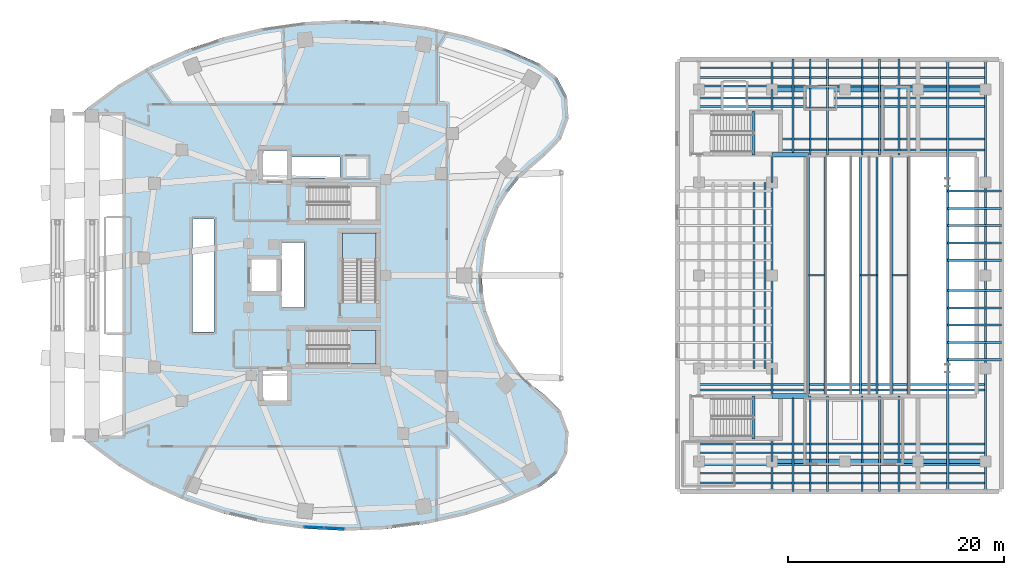
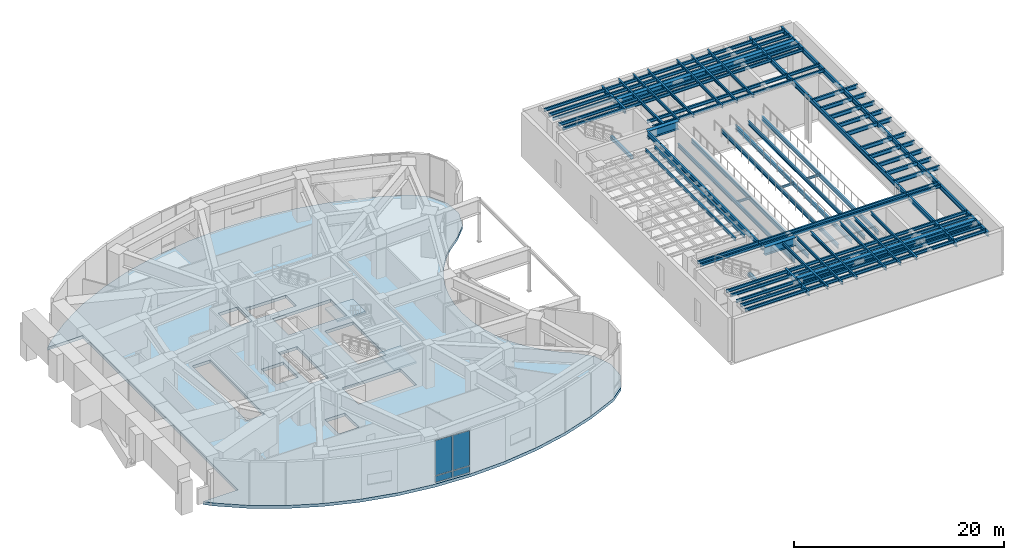
# One storey, part 11 of 23: 70 beams, 4 plates, 3 slabs, 3 elements without a shape of their own.
"""IFC4 building model written with IfcOpenShell, lengths in metres."""

import ifcopenshell
import ifcopenshell.guid

model = None  # the IFC model being written
_history = None  # IfcOwnerHistory: only IFC2X3 demands one
_inside = {}  # id of a spatial element -> (the spatial element, [elements in it])
_under = {}  # id of a project, library or spatial element -> (it, [spatial elements below it])
_declared = {}  # id of a project -> (the project, [libraries it declares])
_typed = {}  # id of a type object -> (the type object, [elements of that type])
_made_of = {}  # id of a material, layer set ... -> (it, [elements and type objects made of it])


def new_model(schema):
    """Start an empty IFC model of exactly this schema.

    Asked for "IFC4X3", IfcOpenShell would pick the latest addendum, in which some entities
    have other attributes; the version numbers below select the first issue.
    IFC2X3 requires an IfcOwnerHistory on every rooted entity: one is made here for all.
    """
    global model, _history
    if schema == "IFC4X3":
        model = ifcopenshell.file(schema_version=(4, 3, 0, 0))
    else:
        model = ifcopenshell.file(schema=schema)
    _inside.clear()
    _under.clear()
    _declared.clear()
    _typed.clear()
    _made_of.clear()
    _history = None
    if model.schema == "IFC2X3":
        org = make("IfcOrganization", Name="unknown")
        user = make(
            "IfcPersonAndOrganization",
            ThePerson=make("IfcPerson", FamilyName="unknown"),
            TheOrganization=org,
        )
        app = make(
            "IfcApplication",
            ApplicationDeveloper=org,
            Version="unknown",
            ApplicationFullName="unknown",
            ApplicationIdentifier="unknown",
        )
        _history = make(
            "IfcOwnerHistory",
            OwningUser=user,
            OwningApplication=app,
            ChangeAction="ADDED",
            CreationDate=0,
        )
    return model


def make(cls, **values):
    """One entity of the class cls with the attributes given. An attribute that is None is left unset."""
    return model.create_entity(
        cls, **{name: value for name, value in values.items() if value is not None}
    )


def rooted(cls, **values):
    """An entity with a GlobalId (a new one), such as an element, a storey or a relation."""
    return make(cls, GlobalId=ifcopenshell.guid.new(), OwnerHistory=_history, **values)


def si_unit(unit_type, name, prefix=None):
    """IfcSIUnit, for example si_unit("LENGTHUNIT", "METRE", prefix="MILLI")."""
    return make("IfcSIUnit", UnitType=unit_type, Prefix=prefix, Name=name)


def assignment(units):
    """IfcUnitAssignment: the units of a project."""
    return None if units is None else make("IfcUnitAssignment", Units=units)


def point(xyz):
    """IfcCartesianPoint."""
    return None if xyz is None else make("IfcCartesianPoint", Coordinates=xyz)


def direction(xyz):
    """IfcDirection."""
    return None if xyz is None else make("IfcDirection", DirectionRatios=xyz)


def frame(location, z_axis=None, x_axis=None):
    """IfcAxis2Placement3D, a coordinate frame: its origin and axes. An axis left out is left unset."""
    return make(
        "IfcAxis2Placement3D",
        Location=point(location),
        Axis=direction(z_axis),
        RefDirection=direction(x_axis),
    )


def frame_2d(location, x_axis=None):
    """IfcAxis2Placement2D, a coordinate frame in the plane: its origin and x axis."""
    return make(
        "IfcAxis2Placement2D", Location=point(location), RefDirection=direction(x_axis)
    )


def origin():
    """The frame at (0, 0, 0) with its axes left unset."""
    return frame((0.0, 0.0, 0.0))


def origin_2d():
    """The frame at (0, 0) in the plane with its x axis left unset."""
    return frame_2d((0.0, 0.0))


def place(relative_to, where):
    """IfcLocalPlacement: puts the frame where relative to a parent placement (None: the world)."""
    return make(
        "IfcLocalPlacement", PlacementRelTo=relative_to, RelativePlacement=where
    )


def context(
    kind, dimensions, precision=None, world=None, true_north=None, identifier=None
):
    """IfcGeometricRepresentationContext, for example the 3D "Model" context."""
    return make(
        "IfcGeometricRepresentationContext",
        ContextIdentifier=identifier,
        ContextType=kind,
        CoordinateSpaceDimension=dimensions,
        Precision=precision,
        WorldCoordinateSystem=world,
        TrueNorth=true_north,
    )


def subcontext(parent, identifier, kind, view, scale=None):
    """IfcGeometricRepresentationSubContext, for example "Body" below "Model"."""
    return make(
        "IfcGeometricRepresentationSubContext",
        ContextIdentifier=identifier,
        ContextType=kind,
        ParentContext=parent,
        TargetScale=scale,
        TargetView=view,
    )


def project(units=None, contexts=None):
    """IfcProject with its units and contexts."""
    return rooted(
        "IfcProject",
        Name="project",
        RepresentationContexts=contexts,
        UnitsInContext=assignment(units),
    )


def spatial(cls, under=None, at=None, **own):
    """A site, building, storey or space (cls), placed at a placement, below another one or the project."""
    s = rooted(cls, ObjectPlacement=at, **own)
    if under is not None:
        _under.setdefault(under.id(), (under, []))[1].append(s)
    return s


def polyline(points):
    """IfcPolyline through the points."""
    return make("IfcPolyline", Points=[point(p) for p in points])


def profile(cls, at=None, kind="AREA", **sizes):
    """A parametric profile (cls). Its sizes go by their IFC names, for example OverallWidth=200.0."""
    return make(cls, ProfileType=kind, Position=at, **sizes)


def rectangle(**sizes):
    """IfcRectangleProfileDef."""
    return profile("IfcRectangleProfileDef", **sizes)


def i_section(**sizes):
    """IfcIShapeProfileDef."""
    return profile("IfcIShapeProfileDef", **sizes)


def outline(outer, holes=None, kind="AREA"):
    """IfcArbitraryClosedProfileDef: a profile drawn as a closed curve; with holes, ...WithVoids."""
    if holes is None:
        return make("IfcArbitraryClosedProfileDef", ProfileType=kind, OuterCurve=outer)
    return make(
        "IfcArbitraryProfileDefWithVoids",
        ProfileType=kind,
        OuterCurve=outer,
        InnerCurves=holes,
    )


def extrude(swept, where, along, depth):
    """IfcExtrudedAreaSolid: the profile swept, set in the frame where, extruded along a direction by depth."""
    return make(
        "IfcExtrudedAreaSolid",
        SweptArea=swept,
        Position=where,
        ExtrudedDirection=direction(along),
        Depth=depth,
    )


def shape(context_of_items, identifier, shape_type, items):
    """IfcShapeRepresentation: the items that make up one representation, for example the "Body"."""
    return make(
        "IfcShapeRepresentation",
        ContextOfItems=context_of_items,
        RepresentationIdentifier=identifier,
        RepresentationType=shape_type,
        Items=items,
    )


def material(Name=None, Category=None):
    """IfcMaterial."""
    return make("IfcMaterial", Name=Name, Category=Category)


def layer(
    of_material, thickness, ventilated=None, Name=None, Category=None, Priority=None
):
    """IfcMaterialLayer: one layer of a wall or slab, of a material (None: an air gap)."""
    return make(
        "IfcMaterialLayer",
        Material=of_material,
        LayerThickness=thickness,
        IsVentilated=ventilated,
        Name=Name,
        Category=Category,
        Priority=Priority,
    )


def layer_set(layers, Name=None):
    """IfcMaterialLayerSet."""
    return make("IfcMaterialLayerSet", MaterialLayers=layers, LayerSetName=Name)


def material_profile(
    of_material, cross_section, Name=None, Category=None, Priority=None
):
    """IfcMaterialProfile: a cross section and its material."""
    return make(
        "IfcMaterialProfile",
        Name=Name,
        Material=of_material,
        Profile=cross_section,
        Priority=Priority,
        Category=Category,
    )


def profile_set(profiles, Name=None, composite=None):
    """IfcMaterialProfileSet."""
    return make(
        "IfcMaterialProfileSet",
        Name=Name,
        MaterialProfiles=profiles,
        CompositeProfile=composite,
    )


def made_of(thing, what):
    """Note that an element or type object is made of a material, layer set ...; save() writes the relation."""
    if what is not None:
        _made_of.setdefault(what.id(), (what, []))[1].append(thing)
    return thing


def type_object(cls, material=None, **own):
    """A type object (cls), such as IfcWallType, which elements share."""
    return made_of(rooted(cls, **own), material)


def element(
    cls,
    number,
    at=None,
    inside=None,
    cuts=None,
    type_object=None,
    material=None,
    context=None,
    identifier="Body",
    shape_type=None,
    held_by="IfcProductDefinitionShape",
    body=None,
    shapes=None,
    **own,
):
    """One element of the class cls, such as IfcWall. Its Tag is "e" and its number.

    at: its placement. inside: the storey or other place that contains it. cuts: it is an
    opening in that element (IfcRelVoidsElement). A single representation is given by context,
    identifier, shape_type and body (its items); several are given by shapes. held_by: the class
    of the entity that holds the representations. save() writes the other relations.
    """
    e = rooted(cls, Tag="e%d" % number, ObjectPlacement=at, **own)
    if body is not None:
        shapes = [shape(context, identifier, shape_type, body)]
    if shapes is not None:
        e.Representation = make(held_by, Representations=shapes)
    if inside is not None:
        _inside.setdefault(inside.id(), (inside, []))[1].append(e)
    if cuts is not None:
        rooted(
            "IfcRelVoidsElement", RelatingBuildingElement=cuts, RelatedOpeningElement=e
        )
    if type_object is not None:
        _typed.setdefault(type_object.id(), (type_object, []))[1].append(e)
    return made_of(e, material)


def aggregate(whole, parts):
    """IfcRelAggregates: a whole, such as a stair, and the parts it consists of."""
    return rooted("IfcRelAggregates", RelatingObject=whole, RelatedObjects=parts)


def save(model, path):
    """Write the relations noted so far, then the file.

    IfcRelAggregates (storeys below a building ...), IfcRelContainedInSpatialStructure (elements
    in a storey), IfcRelDefinesByType, IfcRelAssociatesMaterial and IfcRelDeclares: one each for
    every whole, place, type object, material and project.
    """
    for whole, parts in _under.values():
        aggregate(whole, parts)
    for where, things in _inside.values():
        rooted(
            "IfcRelContainedInSpatialStructure",
            RelatedElements=things,
            RelatingStructure=where,
        )
    for kind, things in _typed.values():
        rooted("IfcRelDefinesByType", RelatedObjects=things, RelatingType=kind)
    for what, things in _made_of.values():
        rooted("IfcRelAssociatesMaterial", RelatedObjects=things, RelatingMaterial=what)
    for by, libraries in _declared.values():
        rooted("IfcRelDeclares", RelatingContext=by, RelatedDefinitions=libraries)
    model.write(path)


model = new_model("IFC4")

# Units and contexts
model_context = context("Model", 3, precision=1e-05, world=origin(), true_north=direction((0.0, 1.0)))
body_context = subcontext(model_context, "Body", "Model", "MODEL_VIEW")
ifc_project = project(units=[si_unit("LENGTHUNIT", "METRE"), si_unit("AREAUNIT", "SQUARE_METRE"), si_unit("VOLUMEUNIT", "CUBIC_METRE"), si_unit("PLANEANGLEUNIT", "RADIAN"), si_unit("MASSUNIT", "GRAM", prefix="KILO")], contexts=[model_context])

# Site, building, storey
site_placement = place(None, origin())
site = spatial("IfcSite", under=ifc_project, at=site_placement, CompositionType="ELEMENT")
building_placement = place(site_placement, origin())
building = spatial("IfcBuilding", under=site, at=building_placement, Name="Korentha Bioscience Tower", CompositionType="ELEMENT")
storey_placement = place(building_placement, frame((0.0, 0.0, 15.0)))
storey = spatial("IfcBuildingStorey", under=building, at=storey_placement, Name="L03", CompositionType="ELEMENT", Elevation=15.0)

# Beams
ifc_material_1 = material(Name="Concrete C50", Category="concrete")
ifc_material_profile_1 = material_profile(ifc_material_1, rectangle(XDim=0.280029296875, YDim=0.3798828125, at=origin_2d()), Name="Concrete C50")
ifc_profile_set_1 = profile_set([ifc_material_profile_1], Name="Concrete C50 (ST-HB380)")
beam_type_1 = type_object("IfcBeamType", Name="Concrete Stair Header Beam RC 280x380", PredefinedType="BEAM", material=ifc_profile_set_1)
for number, where, z_axis, x_axis, name in (
    (1, (71.570068359375, 11.85009765625, 2.510009765625), (0.0, 1.0, 0.0), (-1.0, 0.0, 0.0), "L03 ST-T1 Half-Landing Header Beam 1"),
    (2, (71.570068359375, 38.14990234375, 2.510009765625), (0.0, 1.0, 0.0), (-1.0, 0.0, 0.0), "L03 ST-T2 Half-Landing Header Beam 1"),
):
    element("IfcBeam", number, at=place(storey_placement, frame(where, z_axis=z_axis, x_axis=x_axis)), inside=storey, type_object=beam_type_1, Name=name, PredefinedType="BEAM", context=body_context, shape_type="SweptSolid", body=[
        extrude(rectangle(XDim=0.280029296875, YDim=0.3798828125, at=origin_2d()), origin(), (0.0, 0.0, 1.0), 4.0),
    ])
ifc_material_2 = material(Name="Steel S355", Category="steel")
ifc_material_profile_2 = material_profile(ifc_material_2, i_section(OverallWidth=0.14599609375, OverallDepth=0.258056640625, WebThickness=0.006103515625, FlangeThickness=0.009033203125, at=origin_2d()), Name="Steel S355")
ifc_profile_set_2 = profile_set([ifc_material_profile_2], Name="Steel S355 (GT-250)")
beam_type_2 = type_object("IfcBeamType", Name="Gallery Edge Trimmer Beam W250x32.7", PredefinedType="BEAM", material=ifc_profile_set_2)
for number, where, z_axis, x_axis, name in (
    (3, (76.64990234375, 27.0, 2.31103515625), (1.0, 0.0, 0.0), (0.0, 1.0, 0.0), "L03 Catwalk Cross Trimmer 1"),
    (4, (81.449951171875, 27.0, 2.31103515625), (1.0, 0.0, 0.0), (0.0, 1.0, 0.0), "L03 Catwalk Cross Trimmer 2"),
    (5, (84.35009765625, 27.0, 2.31103515625), (1.0, 0.0, 0.0), (0.0, 1.0, 0.0), "L03 Catwalk Cross Trimmer 3"),
):
    element("IfcBeam", number, at=place(storey_placement, frame(where, z_axis=z_axis, x_axis=x_axis)), inside=storey, type_object=beam_type_2, Name=name, PredefinedType="BEAM", context=body_context, shape_type="SweptSolid", body=[
        extrude(i_section(OverallWidth=0.14599609375, OverallDepth=0.258056640625, WebThickness=0.006103515625, FlangeThickness=0.009033203125, at=origin_2d()), origin(), (0.0, 0.0, 1.0), 1.5),
    ])
ifc_material_profile_3 = material_profile(ifc_material_2, i_section(OverallWidth=0.208984375, OverallDepth=0.532958984375, WebThickness=0.01025390625, FlangeThickness=0.015625, at=origin_2d()), Name="Steel S355")
ifc_profile_set_3 = profile_set([ifc_material_profile_3], Name="Steel S355 (SB-530)")
beam_type_3 = type_object("IfcBeamType", Name="Perimeter Ring Spandrel Girder W530x92", PredefinedType="SPANDREL", material=ifc_profile_set_3)
beam_1_placement = place(storey_placement, frame((73.25, 7.2099609375, 4.83349609375), z_axis=(0.0, 1.0, 0.0), x_axis=(-1.0, 0.0, 0.0)))
element("IfcBeam", 6, at=beam_1_placement, inside=storey, type_object=beam_type_3, Name="L03 Theatre Collector Girder 2-1", PredefinedType="SPANDREL", context=body_context, shape_type="SweptSolid", body=[
    extrude(i_section(OverallWidth=0.208984375, OverallDepth=0.532958984375, WebThickness=0.01025390625, FlangeThickness=0.015625, at=origin_2d()), origin(), (0.0, 0.0, 1.0), 2.590087890625),
])
beam_2_placement = place(storey_placement, frame((73.25, 9.800048828125, 4.83349609375), z_axis=(0.0, 1.0, 0.0), x_axis=(-1.0, 0.0, 0.0)))
element("IfcBeam", 7, at=beam_2_placement, inside=storey, type_object=beam_type_3, Name="L03 Theatre Collector Girder 2-2", PredefinedType="SPANDREL", context=body_context, shape_type="SweptSolid", body=[
    extrude(i_section(OverallWidth=0.208984375, OverallDepth=0.532958984375, WebThickness=0.01025390625, FlangeThickness=0.015625, at=origin_2d()), origin(), (0.0, 0.0, 1.0), 1.949951171875),
])
beam_3_placement = place(storey_placement, frame((73.25, 15.949951171875, 4.83349609375), z_axis=(0.0, 1.0, 0.0), x_axis=(-1.0, 0.0, 0.0)))
element("IfcBeam", 8, at=beam_3_placement, inside=storey, type_object=beam_type_3, Name="L03 Theatre Collector Girder 2-3", PredefinedType="SPANDREL", context=body_context, shape_type="SweptSolid", body=[
    extrude(i_section(OverallWidth=0.208984375, OverallDepth=0.532958984375, WebThickness=0.01025390625, FlangeThickness=0.015625, at=origin_2d()), origin(), (0.0, 0.0, 1.0), 2.449951171875),
])
for number, where, z_axis, x_axis, name in (
    (9, (73.25, 18.39990234375, 4.83349609375), (0.0, 1.0, 0.0), (-1.0, 0.0, 0.0), "L03 Theatre Collector Girder 2-4"),
    (10, (73.25, 27.0, 4.83349609375), (0.0, 1.0, 0.0), (-1.0, 0.0, 0.0), "L03 Theatre Collector Girder 2-5"),
):
    element("IfcBeam", number, at=place(storey_placement, frame(where, z_axis=z_axis, x_axis=x_axis)), inside=storey, type_object=beam_type_3, Name=name, PredefinedType="SPANDREL", context=body_context, shape_type="SweptSolid", body=[
        extrude(i_section(OverallWidth=0.208984375, OverallDepth=0.532958984375, WebThickness=0.01025390625, FlangeThickness=0.015625, at=origin_2d()), origin(), (0.0, 0.0, 1.0), 8.60009765625),
    ])
beam_4_placement = place(storey_placement, frame((73.25, 35.60009765625, 4.83349609375), z_axis=(0.0, 1.0, 0.0), x_axis=(-1.0, 0.0, 0.0)))
element("IfcBeam", 11, at=beam_4_placement, inside=storey, type_object=beam_type_3, Name="L03 Theatre Collector Girder 2-6", PredefinedType="SPANDREL", context=body_context, shape_type="SweptSolid", body=[
    extrude(i_section(OverallWidth=0.208984375, OverallDepth=0.532958984375, WebThickness=0.01025390625, FlangeThickness=0.015625, at=origin_2d()), origin(), (0.0, 0.0, 1.0), 2.449951171875),
])
beam_5_placement = place(storey_placement, frame((73.25, 42.25, 4.83349609375), z_axis=(0.0, 1.0, 0.0), x_axis=(-1.0, 0.0, 0.0)))
element("IfcBeam", 12, at=beam_5_placement, inside=storey, type_object=beam_type_3, Name="L03 Theatre Collector Girder 2-7", PredefinedType="SPANDREL", context=body_context, shape_type="SweptSolid", body=[
    extrude(i_section(OverallWidth=0.208984375, OverallDepth=0.532958984375, WebThickness=0.01025390625, FlangeThickness=0.015625, at=origin_2d()), origin(), (0.0, 0.0, 1.0), 1.949951171875),
])
beam_6_placement = place(storey_placement, frame((73.25, 44.199951171875, 4.83349609375), z_axis=(0.0, 1.0, 0.0), x_axis=(-1.0, 0.0, 0.0)))
element("IfcBeam", 13, at=beam_6_placement, inside=storey, type_object=beam_type_3, Name="L03 Theatre Collector Girder 2-8", PredefinedType="SPANDREL", context=body_context, shape_type="SweptSolid", body=[
    extrude(i_section(OverallWidth=0.208984375, OverallDepth=0.532958984375, WebThickness=0.01025390625, FlangeThickness=0.015625, at=origin_2d()), origin(), (0.0, 0.0, 1.0), 2.590087890625),
])
beam_7_placement = place(storey_placement, frame((89.5, 7.2099609375, 4.83349609375), z_axis=(0.0, 1.0, 0.0), x_axis=(-1.0, 0.0, 0.0)))
element("IfcBeam", 14, at=beam_7_placement, inside=storey, type_object=beam_type_3, Name="L03 Theatre Collector Girder 3-1", PredefinedType="SPANDREL", context=body_context, shape_type="SweptSolid", body=[
    extrude(i_section(OverallWidth=0.208984375, OverallDepth=0.532958984375, WebThickness=0.01025390625, FlangeThickness=0.015625, at=origin_2d()), origin(), (0.0, 0.0, 1.0), 11.18994140625),
])
beam_8_placement = place(storey_placement, frame((89.5, 18.39990234375, 4.83349609375), z_axis=(0.0, 1.0, 0.0), x_axis=(-1.0, 0.0, 0.0)))
element("IfcBeam", 15, at=beam_8_placement, inside=storey, type_object=beam_type_3, Name="L03 Theatre Collector Girder 3-2", PredefinedType="SPANDREL", context=body_context, shape_type="SweptSolid", body=[
    extrude(i_section(OverallWidth=0.208984375, OverallDepth=0.532958984375, WebThickness=0.01025390625, FlangeThickness=0.015625, at=origin_2d()), origin(), (0.0, 0.0, 1.0), 17.2001953125),
])
beam_9_placement = place(storey_placement, frame((89.5, 35.60009765625, 4.83349609375), z_axis=(0.0, 1.0, 0.0), x_axis=(-1.0, 0.0, 0.0)))
element("IfcBeam", 16, at=beam_9_placement, inside=storey, type_object=beam_type_3, Name="L03 Theatre Collector Girder 3-3", PredefinedType="SPANDREL", context=body_context, shape_type="SweptSolid", body=[
    extrude(i_section(OverallWidth=0.208984375, OverallDepth=0.532958984375, WebThickness=0.01025390625, FlangeThickness=0.015625, at=origin_2d()), origin(), (0.0, 0.0, 1.0), 11.18994140625),
])
beam_10_placement = place(storey_placement, frame((93.0, 7.2099609375, 4.83349609375), z_axis=(0.0, 1.0, 0.0), x_axis=(-1.0, 0.0, 0.0)))
element("IfcBeam", 17, at=beam_10_placement, inside=storey, type_object=beam_type_3, Name="L03 Theatre Collector Girder 4-1", PredefinedType="SPANDREL", context=body_context, shape_type="SweptSolid", body=[
    extrude(i_section(OverallWidth=0.208984375, OverallDepth=0.532958984375, WebThickness=0.01025390625, FlangeThickness=0.015625, at=origin_2d()), origin(), (0.0, 0.0, 1.0), 2.590087890625),
])
beam_11_placement = place(storey_placement, frame((93.0, 9.800048828125, 4.83349609375), z_axis=(0.0, 1.0, 0.0), x_axis=(-1.0, 0.0, 0.0)))
element("IfcBeam", 18, at=beam_11_placement, inside=storey, type_object=beam_type_3, Name="L03 Theatre Collector Girder 4-2", PredefinedType="SPANDREL", context=body_context, shape_type="SweptSolid", body=[
    extrude(i_section(OverallWidth=0.208984375, OverallDepth=0.532958984375, WebThickness=0.01025390625, FlangeThickness=0.015625, at=origin_2d()), origin(), (0.0, 0.0, 1.0), 8.599853515625),
])
for number, where, z_axis, x_axis, name in (
    (19, (93.0, 18.39990234375, 4.83349609375), (0.0, 1.0, 0.0), (-1.0, 0.0, 0.0), "L03 Theatre Collector Girder 4-3"),
    (20, (93.0, 27.0, 4.83349609375), (0.0, 1.0, 0.0), (-1.0, 0.0, 0.0), "L03 Theatre Collector Girder 4-4"),
):
    element("IfcBeam", number, at=place(storey_placement, frame(where, z_axis=z_axis, x_axis=x_axis)), inside=storey, type_object=beam_type_3, Name=name, PredefinedType="SPANDREL", context=body_context, shape_type="SweptSolid", body=[
        extrude(i_section(OverallWidth=0.208984375, OverallDepth=0.532958984375, WebThickness=0.01025390625, FlangeThickness=0.015625, at=origin_2d()), origin(), (0.0, 0.0, 1.0), 8.60009765625),
    ])
beam_12_placement = place(storey_placement, frame((93.0, 35.60009765625, 4.83349609375), z_axis=(0.0, 1.0, 0.0), x_axis=(-1.0, 0.0, 0.0)))
element("IfcBeam", 21, at=beam_12_placement, inside=storey, type_object=beam_type_3, Name="L03 Theatre Collector Girder 4-5", PredefinedType="SPANDREL", context=body_context, shape_type="SweptSolid", body=[
    extrude(i_section(OverallWidth=0.208984375, OverallDepth=0.532958984375, WebThickness=0.01025390625, FlangeThickness=0.015625, at=origin_2d()), origin(), (0.0, 0.0, 1.0), 8.599853515625),
])
beam_13_placement = place(storey_placement, frame((93.0, 44.199951171875, 4.83349609375), z_axis=(0.0, 1.0, 0.0), x_axis=(-1.0, 0.0, 0.0)))
element("IfcBeam", 22, at=beam_13_placement, inside=storey, type_object=beam_type_3, Name="L03 Theatre Collector Girder 4-6", PredefinedType="SPANDREL", context=body_context, shape_type="SweptSolid", body=[
    extrude(i_section(OverallWidth=0.208984375, OverallDepth=0.532958984375, WebThickness=0.01025390625, FlangeThickness=0.015625, at=origin_2d()), origin(), (0.0, 0.0, 1.0), 2.590087890625),
])
ifc_material_profile_4 = material_profile(ifc_material_2, i_section(OverallWidth=0.18994140625, OverallDepth=0.45703125, WebThickness=0.009033203125, FlangeThickness=0.014404296875, at=origin_2d()), Name="Steel S355")
ifc_profile_set_4 = profile_set([ifc_material_profile_4], Name="Steel S355 (RB-460)")
beam_type_4 = type_object("IfcBeamType", Name="Radial Laboratory Beam W460x74", PredefinedType="BEAM", material=ifc_profile_set_4)
for number, where, z_axis, x_axis, name in (
    (23, (89.5, 19.199951171875, 4.87158203125), (1.0, 0.0, 0.0), (0.0, 1.0, 0.0), "L03 Stage Fly-Tower Girder 01"),
    (24, (89.5, 20.800048828125, 4.87158203125), (1.0, 0.0, 0.0), (0.0, 1.0, 0.0), "L03 Stage Fly-Tower Girder 02"),
    (25, (89.5, 22.39990234375, 4.87158203125), (1.0, 0.0, 0.0), (0.0, 1.0, 0.0), "L03 Stage Fly-Tower Girder 03"),
    (26, (89.5, 24.0, 4.87158203125), (1.0, 0.0, 0.0), (0.0, 1.0, 0.0), "L03 Stage Fly-Tower Girder 04"),
    (27, (89.5, 25.60009765625, 4.87158203125), (1.0, 0.0, 0.0), (0.0, 1.0, 0.0), "L03 Stage Fly-Tower Girder 05"),
    (28, (89.5, 28.39990234375, 4.87158203125), (1.0, 0.0, 0.0), (0.0, 1.0, 0.0), "L03 Stage Fly-Tower Girder 06"),
    (29, (89.5, 30.0, 4.87158203125), (1.0, 0.0, 0.0), (0.0, 1.0, 0.0), "L03 Stage Fly-Tower Girder 07"),
    (30, (89.5, 31.60009765625, 4.87158203125), (1.0, 0.0, 0.0), (0.0, 1.0, 0.0), "L03 Stage Fly-Tower Girder 08"),
    (31, (89.5, 33.199951171875, 4.87158203125), (1.0, 0.0, 0.0), (0.0, 1.0, 0.0), "L03 Stage Fly-Tower Girder 09"),
    (32, (89.5, 34.800048828125, 4.87158203125), (1.0, 0.0, 0.0), (0.0, 1.0, 0.0), "L03 Stage Fly-Tower Girder 10"),
):
    element("IfcBeam", number, at=place(storey_placement, frame(where, z_axis=z_axis, x_axis=x_axis)), inside=storey, type_object=beam_type_4, Name=name, PredefinedType="BEAM", context=body_context, shape_type="SweptSolid", body=[
        extrude(i_section(OverallWidth=0.18994140625, OverallDepth=0.45703125, WebThickness=0.009033203125, FlangeThickness=0.014404296875, at=origin_2d()), origin(), (0.0, 0.0, 1.0), 5.0),
    ])
for number, where, z_axis, x_axis, name in (
    (33, (76.64990234375, 15.85009765625, 2.21142578125), (0.0, 1.0, 0.0), (-1.0, 0.0, 0.0), "L03 Acoustic Catwalk Girder 1-W"),
    (34, (78.14990234375, 15.85009765625, 2.21142578125), (0.0, 1.0, 0.0), (-1.0, 0.0, 0.0), "L03 Acoustic Catwalk Girder 1-E"),
    (35, (81.449951171875, 15.85009765625, 2.21142578125), (0.0, 1.0, 0.0), (-1.0, 0.0, 0.0), "L03 Acoustic Catwalk Girder 2-W"),
    (36, (82.949951171875, 15.85009765625, 2.21142578125), (0.0, 1.0, 0.0), (-1.0, 0.0, 0.0), "L03 Acoustic Catwalk Girder 2-E"),
    (37, (84.35009765625, 15.85009765625, 2.21142578125), (0.0, 1.0, 0.0), (-1.0, 0.0, 0.0), "L03 Acoustic Catwalk Girder 3-W"),
    (38, (85.85009765625, 15.85009765625, 2.21142578125), (0.0, 1.0, 0.0), (-1.0, 0.0, 0.0), "L03 Acoustic Catwalk Girder 3-E"),
):
    element("IfcBeam", number, at=place(storey_placement, frame(where, z_axis=z_axis, x_axis=x_axis)), inside=storey, type_object=beam_type_4, Name=name, PredefinedType="BEAM", context=body_context, shape_type="SweptSolid", body=[
        extrude(i_section(OverallWidth=0.18994140625, OverallDepth=0.45703125, WebThickness=0.009033203125, FlangeThickness=0.014404296875, at=origin_2d()), origin(), (0.0, 0.0, 1.0), 22.2998046875),
    ])
ifc_material_profile_5 = material_profile(ifc_material_2, i_section(OverallWidth=0.1708984375, OverallDepth=0.35498046875, WebThickness=0.007080078125, FlangeThickness=0.01171875, at=origin_2d()), Name="Steel S355")
ifc_profile_set_5 = profile_set([ifc_material_profile_5], Name="Steel S355 (JB-360)")
beam_type_5 = type_object("IfcBeamType", Name="Secondary Laboratory Joist W360x51", PredefinedType="JOIST", material=ifc_profile_set_5)
for number, where, z_axis, x_axis, name in (
    (39, (66.5, 7.800048828125, 4.922607421875), (1.0, 0.0, 0.0), (0.0, 1.0, 0.0), "L03 Theatre Wing Secondary Joist 01"),
    (40, (66.5, 8.699951171875, 4.922607421875), (1.0, 0.0, 0.0), (0.0, 1.0, 0.0), "L03 Theatre Wing Secondary Joist 02"),
    (41, (66.5, 9.5, 4.922607421875), (1.0, 0.0, 0.0), (0.0, 1.0, 0.0), "L03 Theatre Wing Secondary Joist 03"),
    (42, (66.5, 10.60009765625, 4.922607421875), (1.0, 0.0, 0.0), (0.0, 1.0, 0.0), "L03 Theatre Wing Secondary Joist 04"),
    (43, (66.5, 11.39990234375, 4.922607421875), (1.0, 0.0, 0.0), (0.0, 1.0, 0.0), "L03 Theatre Wing Secondary Joist 05"),
    (44, (66.5, 16.39990234375, 4.922607421875), (1.0, 0.0, 0.0), (0.0, 1.0, 0.0), "L03 Theatre Wing Secondary Joist 06"),
    (45, (66.5, 16.89990234375, 4.922607421875), (1.0, 0.0, 0.0), (0.0, 1.0, 0.0), "L03 Theatre Wing Secondary Joist 07"),
):
    element("IfcBeam", number, at=place(storey_placement, frame(where, z_axis=z_axis, x_axis=x_axis)), inside=storey, type_object=beam_type_5, Name=name, PredefinedType="JOIST", context=body_context, shape_type="SweptSolid", body=[
        extrude(i_section(OverallWidth=0.1708984375, OverallDepth=0.35498046875, WebThickness=0.007080078125, FlangeThickness=0.01171875, at=origin_2d()), origin(), (0.0, 0.0, 1.0), 26.5),
    ])
for number, where, z_axis, x_axis, name in (
    (46, (74.0400390625, 38.60009765625, 4.922607421875), (1.0, 0.0, 0.0), (0.0, 1.0, 0.0), "L03 Theatre Wing Secondary Joist 08"),
    (47, (74.0400390625, 39.60009765625, 4.922607421875), (1.0, 0.0, 0.0), (0.0, 1.0, 0.0), "L03 Theatre Wing Secondary Joist 09"),
):
    element("IfcBeam", number, at=place(storey_placement, frame(where, z_axis=z_axis, x_axis=x_axis)), inside=storey, type_object=beam_type_5, Name=name, PredefinedType="JOIST", context=body_context, shape_type="SweptSolid", body=[
        extrude(i_section(OverallWidth=0.1708984375, OverallDepth=0.35498046875, WebThickness=0.007080078125, FlangeThickness=0.01171875, at=origin_2d()), origin(), (0.0, 0.0, 1.0), 18.9599609375),
    ])
for number, where, z_axis, x_axis, name in (
    (48, (66.5, 42.60009765625, 4.922607421875), (1.0, 0.0, 0.0), (0.0, 1.0, 0.0), "L03 Theatre Wing Secondary Joist 10"),
    (49, (66.5, 43.39990234375, 4.922607421875), (1.0, 0.0, 0.0), (0.0, 1.0, 0.0), "L03 Theatre Wing Secondary Joist 11"),
    (50, (66.5, 44.5, 4.922607421875), (1.0, 0.0, 0.0), (0.0, 1.0, 0.0), "L03 Theatre Wing Secondary Joist 12"),
    (51, (66.5, 45.300048828125, 4.922607421875), (1.0, 0.0, 0.0), (0.0, 1.0, 0.0), "L03 Theatre Wing Secondary Joist 13"),
    (52, (66.5, 46.199951171875, 4.922607421875), (1.0, 0.0, 0.0), (0.0, 1.0, 0.0), "L03 Theatre Wing Secondary Joist 14"),
):
    element("IfcBeam", number, at=place(storey_placement, frame(where, z_axis=z_axis, x_axis=x_axis)), inside=storey, type_object=beam_type_5, Name=name, PredefinedType="JOIST", context=body_context, shape_type="SweptSolid", body=[
        extrude(i_section(OverallWidth=0.1708984375, OverallDepth=0.35498046875, WebThickness=0.007080078125, FlangeThickness=0.01171875, at=origin_2d()), origin(), (0.0, 0.0, 1.0), 26.5),
    ])
for number, where, z_axis, x_axis, name in (
    (53, (71.60009765625, 18.39990234375, 4.922607421875), (0.0, 1.0, 0.0), (-1.0, 0.0, 0.0), "L03 Theatre Foyer Longitudinal Joist 04"),
    (54, (72.60009765625, 18.39990234375, 4.922607421875), (0.0, 1.0, 0.0), (-1.0, 0.0, 0.0), "L03 Theatre Foyer Longitudinal Joist 05"),
):
    element("IfcBeam", number, at=place(storey_placement, frame(where, z_axis=z_axis, x_axis=x_axis)), inside=storey, type_object=beam_type_5, Name=name, PredefinedType="JOIST", context=body_context, shape_type="SweptSolid", body=[
        extrude(i_section(OverallWidth=0.1708984375, OverallDepth=0.35498046875, WebThickness=0.007080078125, FlangeThickness=0.01171875, at=origin_2d()), origin(), (0.0, 0.0, 1.0), 17.2001953125),
    ])
for number, where, z_axis, x_axis, name in (
    (55, (75.199951171875, 7.0, 4.922607421875), (0.0, 1.0, 0.0), (-1.0, 0.0, 0.0), "L03 South Wing Longitudinal Joist 06"),
    (56, (75.199951171875, 38.340087890625, 4.922607421875), (0.0, 1.0, 0.0), (-1.0, 0.0, 0.0), "L03 North Wing Longitudinal Joist 06"),
):
    element("IfcBeam", number, at=place(storey_placement, frame(where, z_axis=z_axis, x_axis=x_axis)), inside=storey, type_object=beam_type_5, Name=name, PredefinedType="JOIST", context=body_context, shape_type="SweptSolid", body=[
        extrude(i_section(OverallWidth=0.1708984375, OverallDepth=0.35498046875, WebThickness=0.007080078125, FlangeThickness=0.01171875, at=origin_2d()), origin(), (0.0, 0.0, 1.0), 8.659912109375),
    ])
for number, where, z_axis, x_axis, name in (
    (57, (76.800048828125, 7.0, 4.922607421875), (0.0, 1.0, 0.0), (-1.0, 0.0, 0.0), "L03 South Wing Longitudinal Joist 07"),
    (58, (76.800048828125, 38.14990234375, 4.922607421875), (0.0, 1.0, 0.0), (-1.0, 0.0, 0.0), "L03 North Wing Longitudinal Joist 07"),
    (59, (78.39990234375, 7.0, 4.922607421875), (0.0, 1.0, 0.0), (-1.0, 0.0, 0.0), "L03 South Wing Longitudinal Joist 08"),
    (60, (78.39990234375, 38.14990234375, 4.922607421875), (0.0, 1.0, 0.0), (-1.0, 0.0, 0.0), "L03 North Wing Longitudinal Joist 08"),
    (61, (81.60009765625, 7.0, 4.922607421875), (0.0, 1.0, 0.0), (-1.0, 0.0, 0.0), "L03 South Wing Longitudinal Joist 09"),
    (62, (81.60009765625, 38.14990234375, 4.922607421875), (0.0, 1.0, 0.0), (-1.0, 0.0, 0.0), "L03 North Wing Longitudinal Joist 09"),
    (63, (83.199951171875, 7.0, 4.922607421875), (0.0, 1.0, 0.0), (-1.0, 0.0, 0.0), "L03 South Wing Longitudinal Joist 10"),
    (64, (83.199951171875, 38.14990234375, 4.922607421875), (0.0, 1.0, 0.0), (-1.0, 0.0, 0.0), "L03 North Wing Longitudinal Joist 10"),
    (65, (85.0, 7.0, 4.922607421875), (0.0, 1.0, 0.0), (-1.0, 0.0, 0.0), "L03 South Wing Longitudinal Joist 11"),
    (66, (85.0, 38.14990234375, 4.922607421875), (0.0, 1.0, 0.0), (-1.0, 0.0, 0.0), "L03 North Wing Longitudinal Joist 11"),
):
    element("IfcBeam", number, at=place(storey_placement, frame(where, z_axis=z_axis, x_axis=x_axis)), inside=storey, type_object=beam_type_5, Name=name, PredefinedType="JOIST", context=body_context, shape_type="SweptSolid", body=[
        extrude(i_section(OverallWidth=0.1708984375, OverallDepth=0.35498046875, WebThickness=0.007080078125, FlangeThickness=0.01171875, at=origin_2d()), origin(), (0.0, 0.0, 1.0), 8.85009765625),
    ])
ifc_material_profile_6 = material_profile(ifc_material_2, i_section(OverallWidth=0.449951171875, OverallDepth=0.949951171875, WebThickness=0.02001953125, FlangeThickness=0.034912109375, at=origin_2d()), Name="Steel S355")
ifc_profile_set_6 = profile_set([ifc_material_profile_6], Name="Steel S355 (TB-950)")
beam_type_6 = type_object("IfcBeamType", Name="Theatre Primary Girder CVS 950x374", PredefinedType="BEAM", material=ifc_profile_set_6)
for number, where, z_axis, x_axis, name in (
    (67, (73.25, 15.85009765625, 4.625), (1.0, 0.0, 0.0), (0.0, 1.0, 0.0), "L03 Theatre Corridor Header Girder S"),
    (68, (73.25, 38.14990234375, 4.625), (1.0, 0.0, 0.0), (0.0, 1.0, 0.0), "L03 Theatre Corridor Header Girder N"),
):
    element("IfcBeam", number, at=place(storey_placement, frame(where, z_axis=z_axis, x_axis=x_axis)), inside=storey, type_object=beam_type_6, Name=name, PredefinedType="BEAM", context=body_context, shape_type="SweptSolid", body=[
        extrude(i_section(OverallWidth=0.449951171875, OverallDepth=0.949951171875, WebThickness=0.02001953125, FlangeThickness=0.034912109375, at=origin_2d()), origin(), (0.0, 0.0, 1.0), 3.39990234375),
    ])
for number, where, z_axis, x_axis, name in (
    (69, (73.25, 9.800048828125, 4.625), (1.0, 0.0, 0.0), (0.0, 1.0, 0.0), "L03 Theatre Long-Span Girder 1"),
    (70, (73.25, 44.199951171875, 4.625), (1.0, 0.0, 0.0), (0.0, 1.0, 0.0), "L03 Theatre Long-Span Girder 5"),
):
    element("IfcBeam", number, at=place(storey_placement, frame(where, z_axis=z_axis, x_axis=x_axis)), inside=storey, type_object=beam_type_6, Name=name, PredefinedType="BEAM", context=body_context, shape_type="SweptSolid", body=[
        extrude(i_section(OverallWidth=0.449951171875, OverallDepth=0.949951171875, WebThickness=0.02001953125, FlangeThickness=0.034912109375, at=origin_2d()), origin(), (0.0, 0.0, 1.0), 19.75),
    ])

# Curtain wall, plates
ifc_material_3 = material(Name="Stone-Clad Aluminium Frame", Category="masonry")
ifc_layer_1 = layer(ifc_material_3, 0.219970703125, Name="Stone-Clad Aluminium Frame")
ifc_layer_set_1 = layer_set([ifc_layer_1], Name="Stone-Clad Aluminium Frame (CW-P1)")
curtain_wall_type = type_object("IfcCurtainWallType", Name="Podium Double-Height Stone-Mullion Curtain Wall CW-P1", PredefinedType="USERDEFINED", material=ifc_layer_set_1)
curtain_wall_placement = place(storey_placement, origin())
curtain_wall = element("IfcCurtainWall", 71, at=curtain_wall_placement, inside=storey, type_object=curtain_wall_type, Name="L03 Curtain Wall 31", ObjectType="UNITISED", PredefinedType="USERDEFINED")
ifc_material_4 = material(Name="Triple-Glazed Low-E Insulated Glass", Category="glass")
ifc_layer_2 = layer(ifc_material_4, 0.0439453125, Name="Triple-Glazed Low-E Insulated Glass")
ifc_layer_set_2 = layer_set([ifc_layer_2], Name="Triple-Glazed Low-E Insulated Glass (GL-44)")
plate_type = type_object("IfcPlateType", Name="Glazed Panel 44mm", PredefinedType="CURTAIN_PANEL", material=ifc_layer_set_2)
plate_1_placement = place(storey_placement, frame((30.90478515625, 3.70458984375, 0.08984375), z_axis=(0.0, 0.0, 1.0), x_axis=(0.998730551641, -0.050371472279, 0.0)))
plate_1 = element("IfcPlate", 72, at=plate_1_placement, type_object=plate_type, Name="CW-L03-31 Bay 1 Glazed Panel 1", PredefinedType="CURTAIN_PANEL", context=body_context, shape_type="SweptSolid", body=[
    extrude(rectangle(XDim=1.8134765625, YDim=0.0439453125, at=origin_2d()), origin(), (0.0, 0.0, 1.0), 0.715087890625),
])
plate_2_placement = place(storey_placement, frame((30.90478515625, 3.70458984375, 0.89501953125), z_axis=(0.0, 0.0, 1.0), x_axis=(0.998730551641, -0.050371472279, 0.0)))
plate_2 = element("IfcPlate", 73, at=plate_2_placement, type_object=plate_type, Name="CW-L03-31 Bay 1 Glazed Panel 2", PredefinedType="CURTAIN_PANEL", context=body_context, shape_type="SweptSolid", body=[
    extrude(rectangle(XDim=1.8134765625, YDim=0.0439453125, at=origin_2d()), origin(), (0.0, 0.0, 1.0), 4.06494140625),
])
plate_3_placement = place(storey_placement, frame((32.805908203125, 3.608642578125, 0.08984375), z_axis=(0.0, 0.0, 1.0), x_axis=(0.998730551641, -0.050371472279, 0.0)))
plate_3 = element("IfcPlate", 74, at=plate_3_placement, type_object=plate_type, Name="CW-L03-31 Bay 2 Glazed Panel 1", PredefinedType="CURTAIN_PANEL", context=body_context, shape_type="SweptSolid", body=[
    extrude(rectangle(XDim=1.8134765625, YDim=0.0439453125, at=origin_2d()), origin(), (0.0, 0.0, 1.0), 0.715087890625),
])
plate_4_placement = place(storey_placement, frame((32.805908203125, 3.608642578125, 0.89501953125), z_axis=(0.0, 0.0, 1.0), x_axis=(0.998730551641, -0.050371472279, 0.0)))
plate_4 = element("IfcPlate", 75, at=plate_4_placement, type_object=plate_type, Name="CW-L03-31 Bay 2 Glazed Panel 2", PredefinedType="CURTAIN_PANEL", context=body_context, shape_type="SweptSolid", body=[
    extrude(rectangle(XDim=1.8134765625, YDim=0.0439453125, at=origin_2d()), origin(), (0.0, 0.0, 1.0), 4.06494140625),
])
aggregate(curtain_wall, [plate_1, plate_2, plate_3, plate_4])

# Stair, slab
ifc_material_5 = material(Name="Precast Concrete C50", Category="concrete")
stair_type = type_object("IfcStairType", Name="Core Exit Dog-Leg Stair 1450", PredefinedType="HALF_TURN_STAIR", material=ifc_material_5)
stair_1_placement = place(storey_placement, origin())
stair_1 = element("IfcStair", 76, at=stair_1_placement, inside=storey, type_object=stair_type, Name="L03 Tower South Pressurized Exit Stair ST-2", PredefinedType="HALF_TURN_STAIR")
ifc_layer_3 = layer(ifc_material_1, 0.199951171875, Name="Concrete C50")
ifc_layer_set_3 = layer_set([ifc_layer_3], Name="Concrete C50 (SL-LND)")
slab_type_1 = type_object("IfcSlabType", Name="Landing Slab 200", PredefinedType="LANDING", material=ifc_layer_set_3)
slab_1_placement = place(storey_placement, frame((0.0, 0.0, 2.5)))
slab_1 = element("IfcSlab", 77, at=slab_1_placement, type_object=slab_type_1, Name="ST-2 landing 1", PredefinedType="LANDING", context=body_context, shape_type="SweptSolid", body=[
    extrude(outline(polyline([(34.169921875, 18.800048828125), (36.64990234375, 18.800048828125), (36.64990234375, 21.89990234375), (34.169921875, 21.89990234375), (34.169921875, 18.800048828125)])), origin(), (0.0, 0.0, 1.0), 0.199951171875),
])
aggregate(stair_1, [slab_1])

stair_2_placement = place(storey_placement, origin())
stair_2 = element("IfcStair", 78, at=stair_2_placement, inside=storey, type_object=stair_type, Name="L03 Tower Central Pressurized Exit Stair ST-3", PredefinedType="HALF_TURN_STAIR")
slab_2_placement = place(storey_placement, frame((0.0, 0.0, 2.5)))
slab_2 = element("IfcSlab", 79, at=slab_2_placement, type_object=slab_type_1, Name="ST-3 landing 1", PredefinedType="LANDING", context=body_context, shape_type="SweptSolid", body=[
    extrude(outline(polyline([(36.64990234375, 28.469970703125), (36.64990234375, 30.89990234375), (33.550048828125, 30.89990234375), (33.550048828125, 28.469970703125), (36.64990234375, 28.469970703125)])), origin(), (0.0, 0.0, 1.0), 0.199951171875),
])
aggregate(stair_2, [slab_2])

# Slab
ifc_material_6 = material(Name="Concrete C65", Category="concrete")
ifc_layer_4 = layer(ifc_material_6, 0.35009765625, Name="Concrete C65")
ifc_layer_set_4 = layer_set([ifc_layer_4], Name="Concrete C65 (SL-T350)")
slab_type_2 = type_object("IfcSlabType", Name="Transfer Deck Structural Slab 350", PredefinedType="FLOOR", material=ifc_layer_set_4)
slab_3_placement = place(storey_placement, frame((0.0, 0.0, -0.35009765625)))
element("IfcSlab", 80, at=slab_3_placement, inside=storey, type_object=slab_type_2, Name="L03 Tower Structural Floor Slab", PredefinedType="FLOOR", context=body_context, shape_type="SweptSolid", body=[
    extrude(outline(polyline([(9.29736328125, 41.800048828125), (13.199951171875, 41.800048828125), (13.199951171875, 12.199951171875), (9.29736328125, 12.199951171875), (10.1220703125, 11.41357421875), (12.8134765625, 9.400634765625), (15.810791015625, 7.641845703125), (19.07080078125, 6.162353515625), (22.54638671875, 4.98388671875), (26.187255859375, 4.123291015625), (29.94091796875, 3.593017578125), (33.75341796875, 3.400634765625), (37.569091796875, 3.549072265625), (41.33349609375, 4.0361328125), (44.9921875, 4.854736328125), (48.49169921875, 5.9931640625), (51.7822265625, 7.434814453125), (53.368408203125, 8.69775390625), (54.307373046875, 10.4951171875), (54.4384765625, 12.518310546875), (53.739013671875, 14.421630859375), (52.3291015625, 15.878662109375), (51.029541015625, 16.875732421875), (49.861328125, 18.023681640625), (48.841796875, 19.3056640625), (47.98583984375, 20.7021484375), (47.306640625, 22.192626953125), (46.814208984375, 23.754638671875), (46.515625, 25.365234375), (46.415771484375, 27.0), (46.515625, 28.634765625), (46.814208984375, 30.245361328125), (47.306640625, 31.807373046875), (47.98583984375, 33.2978515625), (48.841796875, 34.6943359375), (49.861328125, 35.976318359375), (51.029541015625, 37.124267578125), (52.3291015625, 38.121337890625), (53.739013671875, 39.578369140625), (54.4384765625, 41.481689453125), (54.307373046875, 43.5048828125), (53.368408203125, 45.30224609375), (51.7822265625, 46.565185546875), (48.49169921875, 48.0068359375), (44.9921875, 49.145263671875), (41.33349609375, 49.9638671875), (37.569091796875, 50.450927734375), (33.75341796875, 50.599365234375), (29.94091796875, 50.406982421875), (26.187255859375, 49.876708984375), (22.54638671875, 49.01611328125), (19.07080078125, 47.837646484375), (15.810791015625, 46.358154296875), (12.8134765625, 44.599365234375), (10.1220703125, 42.58642578125), (9.29736328125, 41.800048828125)]), holes=[polyline([(30.25, 32.10009765625), (36.64990234375, 32.10009765625), (36.64990234375, 35.199951171875), (30.25, 35.199951171875), (30.25, 32.10009765625)]), polyline([(30.25, 18.800048828125), (36.64990234375, 18.800048828125), (36.64990234375, 21.89990234375), (30.25, 21.89990234375), (30.25, 18.800048828125)]), polyline([(36.64990234375, 24.550048828125), (36.64990234375, 30.89990234375), (33.550048828125, 30.89990234375), (33.550048828125, 24.550048828125), (36.64990234375, 24.550048828125)]), polyline([(19.679931640625, 21.780029296875), (21.669921875, 21.780029296875), (21.669921875, 32.219970703125), (19.679931640625, 32.219970703125), (19.679931640625, 21.780029296875)]), polyline([(27.929931640625, 24.030029296875), (29.969970703125, 24.030029296875), (29.969970703125, 30.02001953125), (27.929931640625, 30.02001953125), (27.929931640625, 24.030029296875)]), polyline([(28.860107421875, 35.93994140625), (33.31005859375, 35.93994140625), (33.31005859375, 37.9599609375), (28.860107421875, 37.9599609375), (28.860107421875, 35.93994140625)]), polyline([(26.199951171875, 15.449951171875), (28.39990234375, 15.449951171875), (28.39990234375, 18.14990234375), (26.199951171875, 18.14990234375), (26.199951171875, 15.449951171875)]), polyline([(26.199951171875, 35.85009765625), (28.39990234375, 35.85009765625), (28.39990234375, 38.550048828125), (26.199951171875, 38.550048828125), (26.199951171875, 35.85009765625)]), polyline([(25.14990234375, 25.550048828125), (27.550048828125, 25.550048828125), (27.550048828125, 28.449951171875), (25.14990234375, 28.449951171875), (25.14990234375, 25.550048828125)])]), origin(), (0.0, 0.0, 1.0), 0.35009765625),
])

save(model, "model.ifc")
